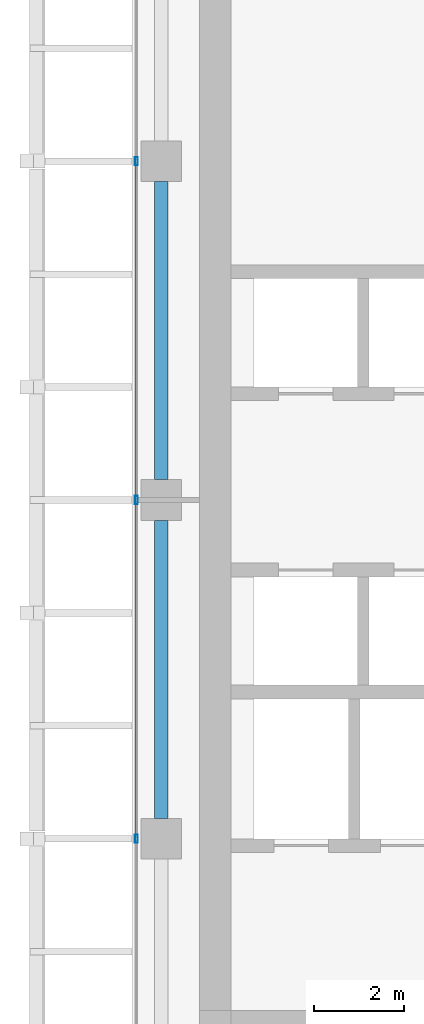
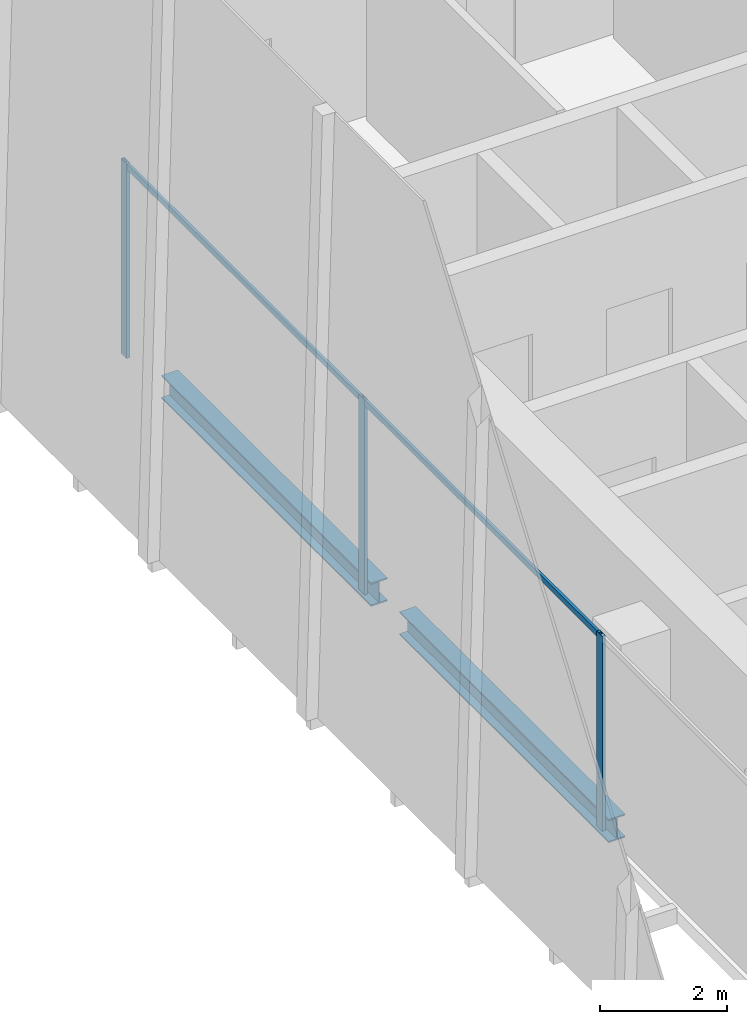
# One storey, part 6 of 33: 5 members, 2 beams, 1 element without a shape of its own.
"""IFC4 building model written with IfcOpenShell, lengths in metres."""

import ifcopenshell
import ifcopenshell.guid

model = None  # the IFC model being written
_history = None  # IfcOwnerHistory: only IFC2X3 demands one
_inside = {}  # id of a spatial element -> (the spatial element, [elements in it])
_under = {}  # id of a project, library or spatial element -> (it, [spatial elements below it])
_declared = {}  # id of a project -> (the project, [libraries it declares])
_typed = {}  # id of a type object -> (the type object, [elements of that type])
_made_of = {}  # id of a material, layer set ... -> (it, [elements and type objects made of it])


def new_model(schema):
    """Start an empty IFC model of exactly this schema.

    Asked for "IFC4X3", IfcOpenShell would pick the latest addendum, in which some entities
    have other attributes; the version numbers below select the first issue.
    IFC2X3 requires an IfcOwnerHistory on every rooted entity: one is made here for all.
    """
    global model, _history
    if schema == "IFC4X3":
        model = ifcopenshell.file(schema_version=(4, 3, 0, 0))
    else:
        model = ifcopenshell.file(schema=schema)
    _inside.clear()
    _under.clear()
    _declared.clear()
    _typed.clear()
    _made_of.clear()
    _history = None
    if model.schema == "IFC2X3":
        org = make("IfcOrganization", Name="unknown")
        user = make(
            "IfcPersonAndOrganization",
            ThePerson=make("IfcPerson", FamilyName="unknown"),
            TheOrganization=org,
        )
        app = make(
            "IfcApplication",
            ApplicationDeveloper=org,
            Version="unknown",
            ApplicationFullName="unknown",
            ApplicationIdentifier="unknown",
        )
        _history = make(
            "IfcOwnerHistory",
            OwningUser=user,
            OwningApplication=app,
            ChangeAction="ADDED",
            CreationDate=0,
        )
    return model


def make(cls, **values):
    """One entity of the class cls with the attributes given. An attribute that is None is left unset."""
    return model.create_entity(
        cls, **{name: value for name, value in values.items() if value is not None}
    )


def rooted(cls, **values):
    """An entity with a GlobalId (a new one), such as an element, a storey or a relation."""
    return make(cls, GlobalId=ifcopenshell.guid.new(), OwnerHistory=_history, **values)


def si_unit(unit_type, name, prefix=None):
    """IfcSIUnit, for example si_unit("LENGTHUNIT", "METRE", prefix="MILLI")."""
    return make("IfcSIUnit", UnitType=unit_type, Prefix=prefix, Name=name)


def assignment(units):
    """IfcUnitAssignment: the units of a project."""
    return None if units is None else make("IfcUnitAssignment", Units=units)


def point(xyz):
    """IfcCartesianPoint."""
    return None if xyz is None else make("IfcCartesianPoint", Coordinates=xyz)


def direction(xyz):
    """IfcDirection."""
    return None if xyz is None else make("IfcDirection", DirectionRatios=xyz)


def frame(location, z_axis=None, x_axis=None):
    """IfcAxis2Placement3D, a coordinate frame: its origin and axes. An axis left out is left unset."""
    return make(
        "IfcAxis2Placement3D",
        Location=point(location),
        Axis=direction(z_axis),
        RefDirection=direction(x_axis),
    )


def frame_2d(location, x_axis=None):
    """IfcAxis2Placement2D, a coordinate frame in the plane: its origin and x axis."""
    return make(
        "IfcAxis2Placement2D", Location=point(location), RefDirection=direction(x_axis)
    )


def origin():
    """The frame at (0, 0, 0) with its axes left unset."""
    return frame((0.0, 0.0, 0.0))


def origin_2d():
    """The frame at (0, 0) in the plane with its x axis left unset."""
    return frame_2d((0.0, 0.0))


def place(relative_to, where):
    """IfcLocalPlacement: puts the frame where relative to a parent placement (None: the world)."""
    return make(
        "IfcLocalPlacement", PlacementRelTo=relative_to, RelativePlacement=where
    )


def context(
    kind, dimensions, precision=None, world=None, true_north=None, identifier=None
):
    """IfcGeometricRepresentationContext, for example the 3D "Model" context."""
    return make(
        "IfcGeometricRepresentationContext",
        ContextIdentifier=identifier,
        ContextType=kind,
        CoordinateSpaceDimension=dimensions,
        Precision=precision,
        WorldCoordinateSystem=world,
        TrueNorth=true_north,
    )


def subcontext(parent, identifier, kind, view, scale=None):
    """IfcGeometricRepresentationSubContext, for example "Body" below "Model"."""
    return make(
        "IfcGeometricRepresentationSubContext",
        ContextIdentifier=identifier,
        ContextType=kind,
        ParentContext=parent,
        TargetScale=scale,
        TargetView=view,
    )


def project(units=None, contexts=None):
    """IfcProject with its units and contexts."""
    return rooted(
        "IfcProject",
        Name="project",
        RepresentationContexts=contexts,
        UnitsInContext=assignment(units),
    )


def spatial(cls, under=None, at=None, **own):
    """A site, building, storey or space (cls), placed at a placement, below another one or the project."""
    s = rooted(cls, ObjectPlacement=at, **own)
    if under is not None:
        _under.setdefault(under.id(), (under, []))[1].append(s)
    return s


def profile(cls, at=None, kind="AREA", **sizes):
    """A parametric profile (cls). Its sizes go by their IFC names, for example OverallWidth=200.0."""
    return make(cls, ProfileType=kind, Position=at, **sizes)


def hollow_rectangle(**sizes):
    """IfcRectangleHollowProfileDef."""
    return profile("IfcRectangleHollowProfileDef", **sizes)


def i_section(**sizes):
    """IfcIShapeProfileDef."""
    return profile("IfcIShapeProfileDef", **sizes)


def extrude(swept, where, along, depth):
    """IfcExtrudedAreaSolid: the profile swept, set in the frame where, extruded along a direction by depth."""
    return make(
        "IfcExtrudedAreaSolid",
        SweptArea=swept,
        Position=where,
        ExtrudedDirection=direction(along),
        Depth=depth,
    )


def shape(context_of_items, identifier, shape_type, items):
    """IfcShapeRepresentation: the items that make up one representation, for example the "Body"."""
    return make(
        "IfcShapeRepresentation",
        ContextOfItems=context_of_items,
        RepresentationIdentifier=identifier,
        RepresentationType=shape_type,
        Items=items,
    )


def source(mapping_origin, context_of_items, identifier, shape_type, items):
    """IfcRepresentationMap: a shape defined once, which mapped items show again and again."""
    return make(
        "IfcRepresentationMap",
        MappingOrigin=mapping_origin,
        MappedRepresentation=shape(context_of_items, identifier, shape_type, items),
    )


def transform(
    local_origin,
    x_axis=None,
    y_axis=None,
    z_axis=None,
    scale=None,
    scale2=None,
    scale3=None,
    uniform=True,
):
    """IfcCartesianTransformationOperator3D, or its non-uniform kind. x_axis, y_axis, z_axis: its Axis1, 2, 3."""
    if uniform:
        return make(
            "IfcCartesianTransformationOperator3D",
            Axis1=direction(x_axis),
            Axis2=direction(y_axis),
            LocalOrigin=point(local_origin),
            Scale=scale,
            Axis3=direction(z_axis),
        )
    return make(
        "IfcCartesianTransformationOperator3DnonUniform",
        Axis1=direction(x_axis),
        Axis2=direction(y_axis),
        LocalOrigin=point(local_origin),
        Scale=scale,
        Axis3=direction(z_axis),
        Scale2=scale2,
        Scale3=scale3,
    )


def mapped(mapping_source, mapping_target):
    """IfcMappedItem: shows the shape of a source again, moved by a transform."""
    return make(
        "IfcMappedItem", MappingSource=mapping_source, MappingTarget=mapping_target
    )


def material(Name=None, Category=None):
    """IfcMaterial."""
    return make("IfcMaterial", Name=Name, Category=Category)


def material_profile(
    of_material, cross_section, Name=None, Category=None, Priority=None
):
    """IfcMaterialProfile: a cross section and its material."""
    return make(
        "IfcMaterialProfile",
        Name=Name,
        Material=of_material,
        Profile=cross_section,
        Priority=Priority,
        Category=Category,
    )


def profile_set(profiles, Name=None, composite=None):
    """IfcMaterialProfileSet."""
    return make(
        "IfcMaterialProfileSet",
        Name=Name,
        MaterialProfiles=profiles,
        CompositeProfile=composite,
    )


def made_of(thing, what):
    """Note that an element or type object is made of a material, layer set ...; save() writes the relation."""
    if what is not None:
        _made_of.setdefault(what.id(), (what, []))[1].append(thing)
    return thing


def type_object(cls, material=None, **own):
    """A type object (cls), such as IfcWallType, which elements share."""
    return made_of(rooted(cls, **own), material)


def element(
    cls,
    number,
    at=None,
    inside=None,
    cuts=None,
    type_object=None,
    material=None,
    context=None,
    identifier="Body",
    shape_type=None,
    held_by="IfcProductDefinitionShape",
    body=None,
    shapes=None,
    **own,
):
    """One element of the class cls, such as IfcWall. Its Tag is "e" and its number.

    at: its placement. inside: the storey or other place that contains it. cuts: it is an
    opening in that element (IfcRelVoidsElement). A single representation is given by context,
    identifier, shape_type and body (its items); several are given by shapes. held_by: the class
    of the entity that holds the representations. save() writes the other relations.
    """
    e = rooted(cls, Tag="e%d" % number, ObjectPlacement=at, **own)
    if body is not None:
        shapes = [shape(context, identifier, shape_type, body)]
    if shapes is not None:
        e.Representation = make(held_by, Representations=shapes)
    if inside is not None:
        _inside.setdefault(inside.id(), (inside, []))[1].append(e)
    if cuts is not None:
        rooted(
            "IfcRelVoidsElement", RelatingBuildingElement=cuts, RelatedOpeningElement=e
        )
    if type_object is not None:
        _typed.setdefault(type_object.id(), (type_object, []))[1].append(e)
    return made_of(e, material)


def aggregate(whole, parts):
    """IfcRelAggregates: a whole, such as a stair, and the parts it consists of."""
    return rooted("IfcRelAggregates", RelatingObject=whole, RelatedObjects=parts)


def save(model, path):
    """Write the relations noted so far, then the file.

    IfcRelAggregates (storeys below a building ...), IfcRelContainedInSpatialStructure (elements
    in a storey), IfcRelDefinesByType, IfcRelAssociatesMaterial and IfcRelDeclares: one each for
    every whole, place, type object, material and project.
    """
    for whole, parts in _under.values():
        aggregate(whole, parts)
    for where, things in _inside.values():
        rooted(
            "IfcRelContainedInSpatialStructure",
            RelatedElements=things,
            RelatingStructure=where,
        )
    for kind, things in _typed.values():
        rooted("IfcRelDefinesByType", RelatedObjects=things, RelatingType=kind)
    for what, things in _made_of.values():
        rooted("IfcRelAssociatesMaterial", RelatedObjects=things, RelatingMaterial=what)
    for by, libraries in _declared.values():
        rooted("IfcRelDeclares", RelatingContext=by, RelatedDefinitions=libraries)
    model.write(path)


model = new_model("IFC4")

# Units and contexts
model_context = context("Model", 3, precision=1e-05, world=origin(), true_north=direction((0.0, 1.0)))
body_context = subcontext(model_context, "Body", "Model", "MODEL_VIEW")
ifc_project = project(units=[si_unit("LENGTHUNIT", "METRE"), si_unit("AREAUNIT", "SQUARE_METRE"), si_unit("VOLUMEUNIT", "CUBIC_METRE"), si_unit("PLANEANGLEUNIT", "RADIAN"), si_unit("MASSUNIT", "GRAM", prefix="KILO")], contexts=[model_context])

# Site, building, storey
site_placement = place(None, origin())
site = spatial("IfcSite", under=ifc_project, at=site_placement, CompositionType="ELEMENT")
building_placement = place(site_placement, origin())
building = spatial("IfcBuilding", under=site, at=building_placement, Name="Khomas Fold Tower", CompositionType="ELEMENT")
storey_placement = place(building_placement, frame((0.0, 0.0, 234.199951171875)))
storey = spatial("IfcBuildingStorey", under=building, at=storey_placement, Name="L52", CompositionType="ELEMENT", Elevation=234.199951171875)

# Beams
ifc_material_1 = material(Name="Steel S355", Category="steel")
ifc_material_profile_1 = material_profile(ifc_material_1, i_section(OverallWidth=0.300048828125, OverallDepth=0.449951171875, WebThickness=0.013916015625, FlangeThickness=0.02587890625, at=origin_2d()), Name="HE 450 B")
ifc_profile_set_1 = profile_set([ifc_material_profile_1], Name="Steel S355")
beam_type = type_object("IfcBeamType", Name="HE 450 B spandrel SB4", PredefinedType="SPANDREL", material=ifc_profile_set_1)
shared_shape_1 = source(origin(), body_context, "Body", "SweptSolid", [
    extrude(i_section(OverallWidth=0.300048828125, OverallDepth=0.449951171875, WebThickness=0.013916015625, FlangeThickness=0.02587890625, at=origin_2d()), origin(), (0.0, 0.0, 1.0), 6.60009765625),
])
for number, where, z_axis, x_axis, name in (
    (1, (5.14990234375, 27.449951171875, -0.474853515625), (0.0, 1.0, 0.0), (-1.0, 0.0, 0.0), "SB4"),
    (2, (5.14990234375, 19.949951171875, -0.474853515625), (0.0, 1.0, 0.0), (-1.0, 0.0, 0.0), "SB4"),
):
    element("IfcBeam", number, at=place(storey_placement, frame(where, z_axis=z_axis, x_axis=x_axis)), inside=storey, type_object=beam_type, Name=name, PredefinedType="SPANDREL", context=body_context, shape_type="MappedRepresentation", body=[
        mapped(shared_shape_1, transform((0.0, 0.0, 0.0))),
    ])

# Curtain wall, members
ifc_material_2 = material(Name="Aluminium framed double glazing", Category="aluminium")
curtain_wall_type = type_object("IfcCurtainWallType", Name="SK-Unitised clear-glass wall, office floors CW2", PredefinedType="NOTDEFINED", material=ifc_material_2)
curtain_wall_placement = place(storey_placement, origin())
curtain_wall = element("IfcCurtainWall", 3, at=curtain_wall_placement, inside=storey, type_object=curtain_wall_type, Name="CW2 run L52 09-0", PredefinedType="NOTDEFINED")
ifc_material_3 = material(Name="Aluminium", Category="aluminium")
ifc_material_profile_2 = material_profile(ifc_material_3, hollow_rectangle(XDim=0.06005859375, YDim=0.179931640625, WallThickness=0.00390625, at=origin_2d()), Name="SK-Unitised clear-glass wall, office floors mullion CW2-M")
ifc_profile_set_2 = profile_set([ifc_material_profile_2], Name="Aluminium")
member_type_1 = type_object("IfcMemberType", Name="SK-Unitised clear-glass wall, office floors mullion CW2-M", PredefinedType="MULLION", material=ifc_profile_set_2)
shared_shape_2 = source(origin(), body_context, "Body", "SweptSolid", [
    extrude(hollow_rectangle(XDim=0.06005859375, YDim=0.179931640625, WallThickness=0.00390625, at=origin_2d()), origin(), (0.0, 0.0, 1.0), 3.75),
])
member_1_placement = place(storey_placement, frame((4.60009765625, 34.5, 0.0), z_axis=(0.0, 0.0, 1.0), x_axis=(1.0, 0.0, 0.0)))
member_1 = element("IfcMember", 4, at=member_1_placement, type_object=member_type_1, Name="CW2 mullion 3", PredefinedType="MULLION", context=body_context, shape_type="MappedRepresentation", body=[
    mapped(shared_shape_2, transform((0.0, 0.0, 0.0))),
])
member_2_placement = place(storey_placement, frame((4.60009765625, 27.0, 0.0), z_axis=(0.0, 0.0, 1.0), x_axis=(1.0, 0.0, 0.0)))
member_2 = element("IfcMember", 5, at=member_2_placement, type_object=member_type_1, Name="CW2 mullion 4", PredefinedType="MULLION", context=body_context, shape_type="MappedRepresentation", body=[
    mapped(shared_shape_2, transform((0.0, 0.0, 0.0))),
])
member_3_placement = place(storey_placement, frame((4.60009765625, 19.5, 0.0), z_axis=(0.0, 0.0, 1.0), x_axis=(1.0, 0.0, 0.0)))
member_3 = element("IfcMember", 6, at=member_3_placement, type_object=member_type_1, Name="CW2 mullion 5", PredefinedType="MULLION", context=body_context, shape_type="MappedRepresentation", body=[
    mapped(shared_shape_2, transform((0.0, 0.0, 0.0))),
])
ifc_material_4 = material(Name="Aluminium", Category="aluminium")
ifc_material_profile_3 = material_profile(ifc_material_4, hollow_rectangle(XDim=0.050048828125, YDim=0.110107421875, WallThickness=0.00390625, at=origin_2d()), Name="SK-Unitised clear-glass wall, office floors transom CW2-T")
ifc_profile_set_3 = profile_set([ifc_material_profile_3], Name="Aluminium")
member_type_2 = type_object("IfcMemberType", Name="SK-Unitised clear-glass wall, office floors transom CW2-T", PredefinedType="USERDEFINED", material=ifc_profile_set_3)
shared_shape_3 = source(origin(), body_context, "Body", "SweptSolid", [
    extrude(hollow_rectangle(XDim=0.050048828125, YDim=0.110107421875, WallThickness=0.00390625, at=origin_2d()), origin(), (0.0, 0.0, 1.0), 7.43994140625),
])
member_4_placement = place(storey_placement, frame((4.60009765625, 34.469970703125, 3.695068359375), z_axis=(0.0, -1.0, 0.0), x_axis=(1.0, 0.0, 0.0)))
member_4 = element("IfcMember", 7, at=member_4_placement, type_object=member_type_2, Name="CW2 transom 3", ObjectType="TRANSOM", PredefinedType="USERDEFINED", context=body_context, shape_type="MappedRepresentation", body=[
    mapped(shared_shape_3, transform((0.0, 0.0, 0.0))),
])
member_5_placement = place(storey_placement, frame((4.60009765625, 26.969970703125, 3.695068359375), z_axis=(0.0, -1.0, 0.0), x_axis=(1.0, 0.0, 0.0)))
member_5 = element("IfcMember", 8, at=member_5_placement, type_object=member_type_2, Name="CW2 transom 4", ObjectType="TRANSOM", PredefinedType="USERDEFINED", context=body_context, shape_type="MappedRepresentation", body=[
    mapped(shared_shape_3, transform((0.0, 0.0, 0.0))),
])
aggregate(curtain_wall, [member_1, member_2, member_3, member_4, member_5])

save(model, "model.ifc")
